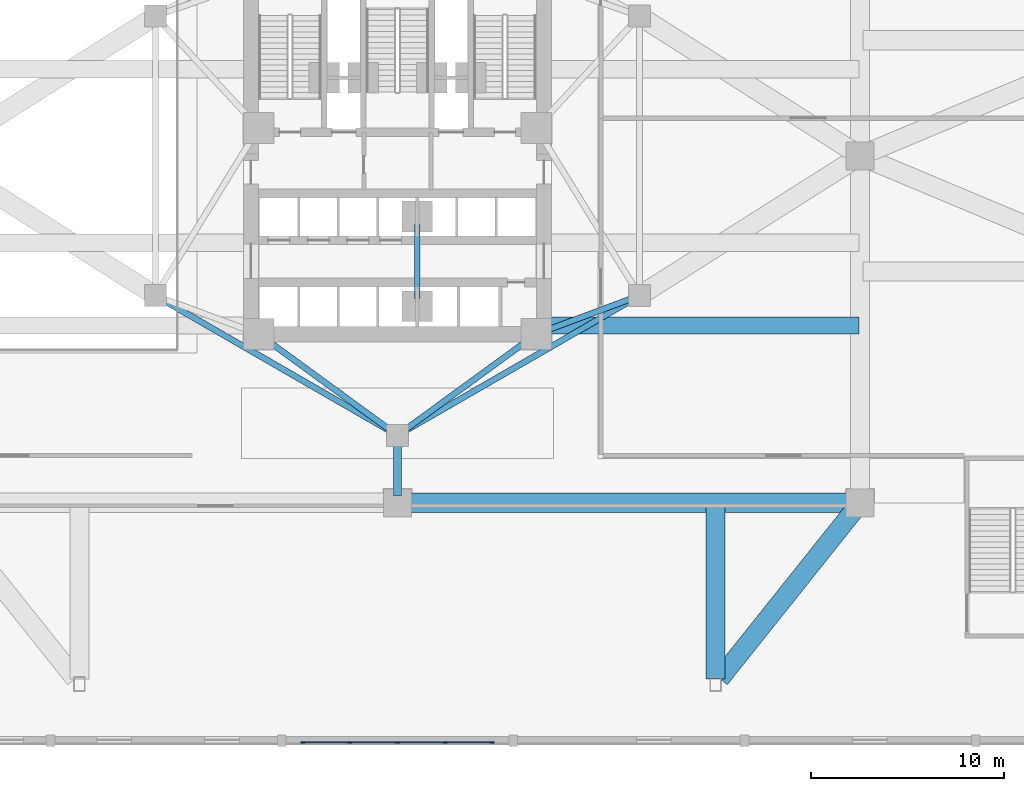
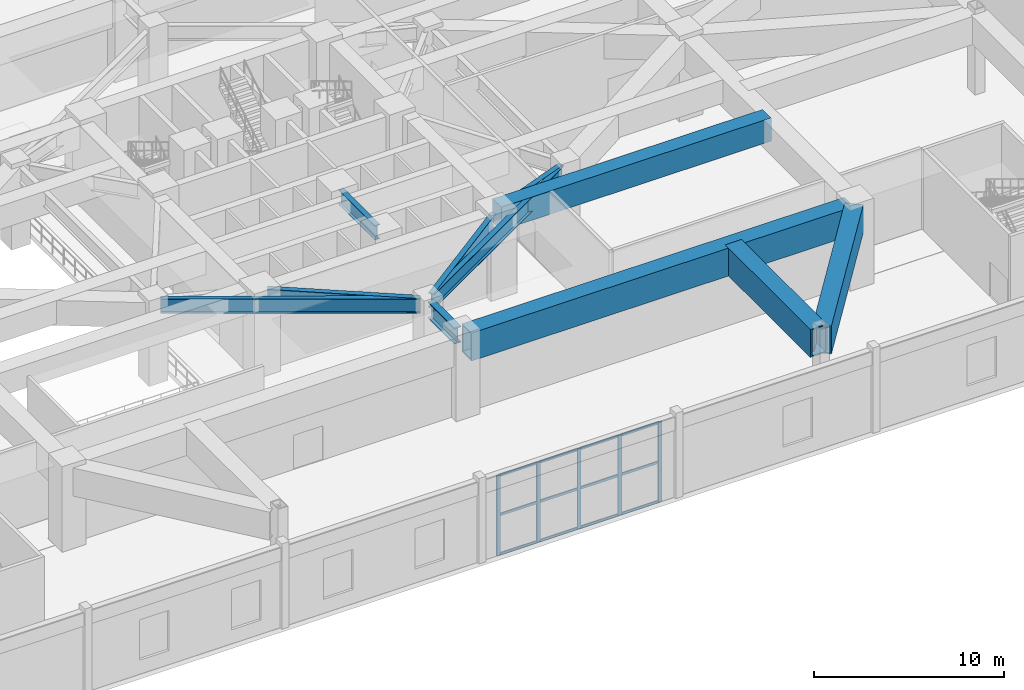
# One storey, part 3 of 23: 17 members, 11 beams, 1 element without a shape of its own.
"""IFC4 building model written with IfcOpenShell, lengths in metres."""

from ifc_helpers import new_model, si_unit, direction, frame, origin, origin_2d, place, context, subcontext, project, spatial, rectangle, hollow_rectangle, i_section, extrude, material, layer, layer_set, material_profile, profile_set, type_object, element, aggregate, save


model = new_model("IFC4")

# Units and contexts
model_context = context("Model", 3, precision=1e-05, world=origin(), true_north=direction((0.0, 1.0)))
body_context = subcontext(model_context, "Body", "Model", "MODEL_VIEW")
ifc_project = project(units=[si_unit("LENGTHUNIT", "METRE"), si_unit("AREAUNIT", "SQUARE_METRE"), si_unit("VOLUMEUNIT", "CUBIC_METRE"), si_unit("PLANEANGLEUNIT", "RADIAN"), si_unit("MASSUNIT", "GRAM", prefix="KILO")], contexts=[model_context])

# Site, building, storey
site_placement = place(None, origin())
site = spatial("IfcSite", under=ifc_project, at=site_placement, CompositionType="ELEMENT")
building_placement = place(site_placement, origin())
building = spatial("IfcBuilding", under=site, at=building_placement, Name="Apsidion Concourse Tower", CompositionType="ELEMENT")
storey_placement = place(building_placement, frame((0.0, 0.0, 6.0)))
storey = spatial("IfcBuildingStorey", under=building, at=storey_placement, Name="L01", CompositionType="ELEMENT", Elevation=6.0)

# Beams
ifc_material_1 = material(Name="Structural steel ASTM A992 Grade 50", Category="steel")
ifc_material_profile_1 = material_profile(ifc_material_1, i_section(OverallWidth=0.31005859375, OverallDepth=0.931884765625, WebThickness=0.02099609375, FlangeThickness=0.034423828125, at=origin_2d()), Name="W36X210")
ifc_profile_set_1 = profile_set([ifc_material_profile_1], Name="Structural steel ASTM A992 Grade 50")
beam_type_1 = type_object("IfcBeamType", Name="BM-G-W36", PredefinedType="USERDEFINED", material=ifc_profile_set_1)
beam_1_placement = place(storey_placement, frame((12.185302734375, -7.389892578125, 4.73388671875), z_axis=(-0.936913021145, -0.349562570664, 0.0), x_axis=(0.349562570664, -0.936913021145, 0.0)))
element("IfcBeam", 1, at=beam_1_placement, inside=storey, type_object=beam_type_1, Name="L01 Core Coupling Girder IC2-SC2", ObjectType="GIRDER", PredefinedType="USERDEFINED", context=body_context, shape_type="SweptSolid", body=[
    extrude(i_section(OverallWidth=0.31005859375, OverallDepth=0.931884765625, WebThickness=0.02099609375, FlangeThickness=0.034423828125, at=origin_2d()), origin(), (0.0, 0.0, 1.0), 4.921142578125),
])
for number, where, z_axis, x_axis, name in (
    (2, (-0.3232421875, -14.264404296875, 4.73388671875), (-0.807993498909, 0.589191399905, 0.0), (-0.589191399905, -0.807993498909, 0.0), "L01 Core Coupling Girder IC6-SC1"),
    (3, (0.3232421875, -14.264404296875, 4.73388671875), (0.807993498909, 0.589191399905, 0.0), (-0.589191399905, 0.807993498909, 0.0), "L01 Core Coupling Girder IC6-SC2"),
):
    element("IfcBeam", number, at=place(storey_placement, frame(where, z_axis=z_axis, x_axis=x_axis)), inside=storey, type_object=beam_type_1, Name=name, ObjectType="GIRDER", PredefinedType="USERDEFINED", context=body_context, shape_type="SweptSolid", body=[
        extrude(i_section(OverallWidth=0.31005859375, OverallDepth=0.931884765625, WebThickness=0.02099609375, FlangeThickness=0.034423828125, at=origin_2d()), origin(), (0.0, 0.0, 1.0), 8.11083984375),
    ])
for number, where, z_axis, x_axis, name in (
    (4, (12.213623046875, -7.449951171875, 4.73388671875), (-0.866070471464, -0.499921932364, 0.0), (0.499921932364, -0.866070471464, 0.0), "L01 Core Coupling Girder IC2-IC6"),
    (5, (-0.346435546875, -14.300048828125, 4.73388671875), (-0.866070471464, 0.499921932364, 0.0), (-0.499921932364, -0.866070471464, 0.0), "L01 Core Coupling Girder IC6-IC1"),
):
    element("IfcBeam", number, at=place(storey_placement, frame(where, z_axis=z_axis, x_axis=x_axis)), inside=storey, type_object=beam_type_1, Name=name, ObjectType="GIRDER", PredefinedType="USERDEFINED", context=body_context, shape_type="SweptSolid", body=[
        extrude(i_section(OverallWidth=0.31005859375, OverallDepth=0.931884765625, WebThickness=0.02099609375, FlangeThickness=0.034423828125, at=origin_2d()), origin(), (0.0, 0.0, 1.0), 13.702392578125),
    ])
beam_2_placement = place(storey_placement, frame((1.02490234375, -3.550048828125, 4.73388671875), z_axis=(0.0, -1.0, 0.0), x_axis=(1.0, 0.0, 0.0)))
element("IfcBeam", 6, at=beam_2_placement, inside=storey, type_object=beam_type_1, Name="L01 Core Coupling Girder CC5-CC6", ObjectType="GIRDER", PredefinedType="USERDEFINED", context=body_context, shape_type="SweptSolid", body=[
    extrude(i_section(OverallWidth=0.31005859375, OverallDepth=0.931884765625, WebThickness=0.02099609375, FlangeThickness=0.034423828125, at=origin_2d()), origin(), (0.0, 0.0, 1.0), 3.849853515625),
])
ifc_material_profile_2 = material_profile(ifc_material_1, i_section(OverallWidth=0.408935546875, OverallDepth=1.041015625, WebThickness=0.031005859375, FlangeThickness=0.055908203125, at=origin_2d()), Name="W40X397")
ifc_profile_set_2 = profile_set([ifc_material_profile_2], Name="Structural steel ASTM A992 Grade 50")
beam_type_2 = type_object("IfcBeamType", Name="BM-G-W40H", PredefinedType="USERDEFINED", material=ifc_profile_set_2)
beam_3_placement = place(storey_placement, frame((0.0, -17.64990234375, 4.679443359375), z_axis=(0.0, 1.0, 0.0), x_axis=(-1.0, 0.0, 0.0)))
element("IfcBeam", 7, at=beam_3_placement, inside=storey, type_object=beam_type_2, Name="L01 Podium Girder MC7-IC6", ObjectType="GIRDER", PredefinedType="USERDEFINED", context=body_context, shape_type="SweptSolid", body=[
    extrude(i_section(OverallWidth=0.408935546875, OverallDepth=1.041015625, WebThickness=0.031005859375, FlangeThickness=0.055908203125, at=origin_2d()), origin(), (0.0, 0.0, 1.0), 2.7998046875),
])
ifc_material_2 = material(Name="Concrete C50/60", Category="concrete")
ifc_material_profile_3 = material_profile(ifc_material_2, rectangle(XDim=0.89990234375, YDim=1.5, at=origin_2d()), Name="RC 900x1500")
ifc_profile_set_3 = profile_set([ifc_material_profile_3], Name="Concrete C50/60")
beam_type_3 = type_object("IfcBeamType", Name="BM-TB-RC15", PredefinedType="T_BEAM", material=ifc_profile_set_3)
beam_4_placement = place(storey_placement, frame((7.5, -8.800048828125, 4.449951171875), z_axis=(1.0, 0.0, 0.0), x_axis=(0.0, 1.0, 0.0)))
element("IfcBeam", 8, at=beam_4_placement, inside=storey, type_object=beam_type_3, Name="L01 Convention Long-Span Tee Beam E1", PredefinedType="T_BEAM", context=body_context, shape_type="SweptSolid", body=[
    extrude(rectangle(XDim=0.89990234375, YDim=1.5, at=origin_2d()), origin(), (0.0, 0.0, 1.0), 16.449951171875),
])
ifc_material_3 = material(Name="Structural steel ASTM A572 Grade 50", Category="steel")
ifc_material_profile_4 = material_profile(ifc_material_3, hollow_rectangle(XDim=1.0, YDim=1.800048828125, WallThickness=0.080078125, at=origin_2d()), Name="BOX1800X1000X80")
ifc_profile_set_4 = profile_set([ifc_material_profile_4], Name="Structural steel ASTM A572 Grade 50")
beam_type_4 = type_object("IfcBeamType", Name="BM-TR-1800", PredefinedType="USERDEFINED", material=ifc_profile_set_4)
beam_5_placement = place(storey_placement, frame((0.35009765625, -18.0, 4.300048828125), z_axis=(1.0, 0.0, 0.0), x_axis=(0.0, 1.0, 0.0)))
element("IfcBeam", 9, at=beam_5_placement, inside=storey, type_object=beam_type_4, Name="L01 Podium Transfer Collector Girder MC7-MC2", ObjectType="GIRDER", PredefinedType="USERDEFINED", context=body_context, shape_type="SweptSolid", body=[
    extrude(hollow_rectangle(XDim=1.0, YDim=1.800048828125, WallThickness=0.080078125, at=origin_2d()), origin(), (0.0, 0.0, 1.0), 23.2998046875),
])
beam_6_placement = place(storey_placement, frame((16.5, -27.14990234375, 4.300048828125), z_axis=(0.0, 1.0, 0.0), x_axis=(-1.0, 0.0, 0.0)))
element("IfcBeam", 10, at=beam_6_placement, inside=storey, type_object=beam_type_4, Name="L01 Podium Radial Frame Girder PC10", ObjectType="GIRDER", PredefinedType="USERDEFINED", context=body_context, shape_type="SweptSolid", body=[
    extrude(hollow_rectangle(XDim=1.0, YDim=1.800048828125, WallThickness=0.080078125, at=origin_2d()), origin(), (0.0, 0.0, 1.0), 9.0),
])
beam_7_placement = place(storey_placement, frame((16.71826171875, -27.12646484375, 4.300048828125), z_axis=(0.623685030382, 0.781675753031, 0.0), x_axis=(-0.781675753031, 0.623685030382, 0.0)))
element("IfcBeam", 11, at=beam_7_placement, inside=storey, type_object=beam_type_4, Name="L01 Podium Diagonal Frame Tie PC10", ObjectType="GIRDER", PredefinedType="USERDEFINED", context=body_context, shape_type="SweptSolid", body=[
    extrude(hollow_rectangle(XDim=1.0, YDim=1.800048828125, WallThickness=0.080078125, at=origin_2d()), origin(), (0.0, 0.0, 1.0), 11.325439453125),
])

# Curtain wall, members
ifc_material_4 = material(Name="Insulated laminated low-E glass", Category="glass")
ifc_layer = layer(ifc_material_4, 0.18994140625)
ifc_layer_set = layer_set([ifc_layer], Name="Insulated laminated low-E glass")
curtain_wall_type = type_object("IfcCurtainWallType", Name="CW-SYS-01", PredefinedType="NOTDEFINED", material=ifc_layer_set)
curtain_wall_placement = place(storey_placement, origin())
curtain_wall = element("IfcCurtainWall", 12, at=curtain_wall_placement, inside=storey, type_object=curtain_wall_type, Name="L01 Podium Glazed Curtain Wall S", PredefinedType="NOTDEFINED")
ifc_material_5 = material(Name="Anodised aluminium EN AW-6063 T6", Category="aluminium")
ifc_material_profile_5 = material_profile(ifc_material_5, rectangle(XDim=0.074951171875, YDim=0.219970703125, at=origin_2d()), Name="ALU MULLION 75x220")
ifc_profile_set_5 = profile_set([ifc_material_profile_5], Name="Anodised aluminium EN AW-6063 T6")
member_type_1 = type_object("IfcMemberType", Name="CWM-75X220", PredefinedType="MULLION", material=ifc_profile_set_5)
member_1_placement = place(storey_placement, frame((4.91845703125, -30.43994140625, 0.0), z_axis=(0.0, 0.0, 1.0), x_axis=(0.0, -1.0, 0.0)))
member_1 = element("IfcMember", 13, at=member_1_placement, type_object=member_type_1, Name="CW-01 mullion 1", PredefinedType="MULLION", context=body_context, shape_type="SweptSolid", body=[
    extrude(rectangle(XDim=0.074951171875, YDim=0.219970703125, at=origin_2d()), origin(), (0.0, 0.0, 1.0), 5.14990234375),
])
member_2_placement = place(storey_placement, frame((2.47802734375, -30.43994140625, 0.0), z_axis=(0.0, 0.0, 1.0), x_axis=(0.0, -1.0, 0.0)))
member_2 = element("IfcMember", 14, at=member_2_placement, type_object=member_type_1, Name="CW-01 mullion 2", PredefinedType="MULLION", context=body_context, shape_type="SweptSolid", body=[
    extrude(rectangle(XDim=0.074951171875, YDim=0.219970703125, at=origin_2d()), origin(), (0.0, 0.0, 1.0), 5.14990234375),
])
member_3_placement = place(storey_placement, frame((0.0, -30.43994140625, 0.0), z_axis=(0.0, 0.0, 1.0), x_axis=(0.0, -1.0, 0.0)))
member_3 = element("IfcMember", 15, at=member_3_placement, type_object=member_type_1, Name="CW-01 mullion 3", PredefinedType="MULLION", context=body_context, shape_type="SweptSolid", body=[
    extrude(rectangle(XDim=0.074951171875, YDim=0.219970703125, at=origin_2d()), origin(), (0.0, 0.0, 1.0), 5.14990234375),
])
member_4_placement = place(storey_placement, frame((-2.47802734375, -30.43994140625, 0.0), z_axis=(0.0, 0.0, 1.0), x_axis=(0.0, -1.0, 0.0)))
member_4 = element("IfcMember", 16, at=member_4_placement, type_object=member_type_1, Name="CW-01 mullion 4", PredefinedType="MULLION", context=body_context, shape_type="SweptSolid", body=[
    extrude(rectangle(XDim=0.074951171875, YDim=0.219970703125, at=origin_2d()), origin(), (0.0, 0.0, 1.0), 5.14990234375),
])
member_5_placement = place(storey_placement, frame((-4.91845703125, -30.43994140625, 0.0), z_axis=(0.0, 0.0, 1.0), x_axis=(0.0, -1.0, 0.0)))
member_5 = element("IfcMember", 17, at=member_5_placement, type_object=member_type_1, Name="CW-01 mullion 5", PredefinedType="MULLION", context=body_context, shape_type="SweptSolid", body=[
    extrude(rectangle(XDim=0.074951171875, YDim=0.219970703125, at=origin_2d()), origin(), (0.0, 0.0, 1.0), 5.14990234375),
])
ifc_material_profile_6 = material_profile(ifc_material_5, rectangle(XDim=0.074951171875, YDim=0.159912109375, at=origin_2d()), Name="ALU TRANSOM 75x160")
ifc_profile_set_6 = profile_set([ifc_material_profile_6], Name="Anodised aluminium EN AW-6063 T6")
member_type_2 = type_object("IfcMemberType", Name="CWT-75X160", PredefinedType="USERDEFINED", material=ifc_profile_set_6)
member_6_placement = place(storey_placement, frame((4.881103515625, -30.43994140625, 0.03759765625), z_axis=(-1.0, 0.0, 0.0), x_axis=(0.0, -1.0, 0.0)))
member_6 = element("IfcMember", 18, at=member_6_placement, type_object=member_type_2, Name="CW-01 transom 1.1", ObjectType="TRANSOM", PredefinedType="USERDEFINED", context=body_context, shape_type="SweptSolid", body=[
    extrude(rectangle(XDim=0.074951171875, YDim=0.159912109375, at=origin_2d()), origin(), (0.0, 0.0, 1.0), 2.36572265625),
])
member_7_placement = place(storey_placement, frame((4.881103515625, -30.43994140625, 2.574951171875), z_axis=(-1.0, 0.0, 0.0), x_axis=(0.0, -1.0, 0.0)))
member_7 = element("IfcMember", 19, at=member_7_placement, type_object=member_type_2, Name="CW-01 transom 1.2", ObjectType="TRANSOM", PredefinedType="USERDEFINED", context=body_context, shape_type="SweptSolid", body=[
    extrude(rectangle(XDim=0.074951171875, YDim=0.159912109375, at=origin_2d()), origin(), (0.0, 0.0, 1.0), 2.36572265625),
])
member_8_placement = place(storey_placement, frame((4.881103515625, -30.43994140625, 5.112548828125), z_axis=(-1.0, 0.0, 0.0), x_axis=(0.0, -1.0, 0.0)))
member_8 = element("IfcMember", 20, at=member_8_placement, type_object=member_type_2, Name="CW-01 transom 1.3", ObjectType="TRANSOM", PredefinedType="USERDEFINED", context=body_context, shape_type="SweptSolid", body=[
    extrude(rectangle(XDim=0.074951171875, YDim=0.159912109375, at=origin_2d()), origin(), (0.0, 0.0, 1.0), 2.36572265625),
])
member_9_placement = place(storey_placement, frame((2.4404296875, -30.43994140625, 0.03759765625), z_axis=(-1.0, 0.0, 0.0), x_axis=(0.0, -1.0, 0.0)))
member_9 = element("IfcMember", 21, at=member_9_placement, type_object=member_type_2, Name="CW-01 transom 2.1", ObjectType="TRANSOM", PredefinedType="USERDEFINED", context=body_context, shape_type="SweptSolid", body=[
    extrude(rectangle(XDim=0.074951171875, YDim=0.159912109375, at=origin_2d()), origin(), (0.0, 0.0, 1.0), 2.40283203125),
])
member_10_placement = place(storey_placement, frame((2.4404296875, -30.43994140625, 2.574951171875), z_axis=(-1.0, 0.0, 0.0), x_axis=(0.0, -1.0, 0.0)))
member_10 = element("IfcMember", 22, at=member_10_placement, type_object=member_type_2, Name="CW-01 transom 2.2", ObjectType="TRANSOM", PredefinedType="USERDEFINED", context=body_context, shape_type="SweptSolid", body=[
    extrude(rectangle(XDim=0.074951171875, YDim=0.159912109375, at=origin_2d()), origin(), (0.0, 0.0, 1.0), 2.40283203125),
])
member_11_placement = place(storey_placement, frame((2.4404296875, -30.43994140625, 5.112548828125), z_axis=(-1.0, 0.0, 0.0), x_axis=(0.0, -1.0, 0.0)))
member_11 = element("IfcMember", 23, at=member_11_placement, type_object=member_type_2, Name="CW-01 transom 2.3", ObjectType="TRANSOM", PredefinedType="USERDEFINED", context=body_context, shape_type="SweptSolid", body=[
    extrude(rectangle(XDim=0.074951171875, YDim=0.159912109375, at=origin_2d()), origin(), (0.0, 0.0, 1.0), 2.40283203125),
])
member_12_placement = place(storey_placement, frame((-0.03759765625, -30.43994140625, 0.03759765625), z_axis=(-1.0, 0.0, 0.0), x_axis=(0.0, -1.0, 0.0)))
member_12 = element("IfcMember", 24, at=member_12_placement, type_object=member_type_2, Name="CW-01 transom 3.1", ObjectType="TRANSOM", PredefinedType="USERDEFINED", context=body_context, shape_type="SweptSolid", body=[
    extrude(rectangle(XDim=0.074951171875, YDim=0.159912109375, at=origin_2d()), origin(), (0.0, 0.0, 1.0), 2.40283203125),
])
member_13_placement = place(storey_placement, frame((-0.03759765625, -30.43994140625, 2.574951171875), z_axis=(-1.0, 0.0, 0.0), x_axis=(0.0, -1.0, 0.0)))
member_13 = element("IfcMember", 25, at=member_13_placement, type_object=member_type_2, Name="CW-01 transom 3.2", ObjectType="TRANSOM", PredefinedType="USERDEFINED", context=body_context, shape_type="SweptSolid", body=[
    extrude(rectangle(XDim=0.074951171875, YDim=0.159912109375, at=origin_2d()), origin(), (0.0, 0.0, 1.0), 2.40283203125),
])
member_14_placement = place(storey_placement, frame((-0.03759765625, -30.43994140625, 5.112548828125), z_axis=(-1.0, 0.0, 0.0), x_axis=(0.0, -1.0, 0.0)))
member_14 = element("IfcMember", 26, at=member_14_placement, type_object=member_type_2, Name="CW-01 transom 3.3", ObjectType="TRANSOM", PredefinedType="USERDEFINED", context=body_context, shape_type="SweptSolid", body=[
    extrude(rectangle(XDim=0.074951171875, YDim=0.159912109375, at=origin_2d()), origin(), (0.0, 0.0, 1.0), 2.40283203125),
])
member_15_placement = place(storey_placement, frame((-2.515380859375, -30.43994140625, 0.03759765625), z_axis=(-1.0, 0.0, 0.0), x_axis=(0.0, -1.0, 0.0)))
member_15 = element("IfcMember", 27, at=member_15_placement, type_object=member_type_2, Name="CW-01 transom 4.1", ObjectType="TRANSOM", PredefinedType="USERDEFINED", context=body_context, shape_type="SweptSolid", body=[
    extrude(rectangle(XDim=0.074951171875, YDim=0.159912109375, at=origin_2d()), origin(), (0.0, 0.0, 1.0), 2.36572265625),
])
member_16_placement = place(storey_placement, frame((-2.515380859375, -30.43994140625, 2.574951171875), z_axis=(-1.0, 0.0, 0.0), x_axis=(0.0, -1.0, 0.0)))
member_16 = element("IfcMember", 28, at=member_16_placement, type_object=member_type_2, Name="CW-01 transom 4.2", ObjectType="TRANSOM", PredefinedType="USERDEFINED", context=body_context, shape_type="SweptSolid", body=[
    extrude(rectangle(XDim=0.074951171875, YDim=0.159912109375, at=origin_2d()), origin(), (0.0, 0.0, 1.0), 2.36572265625),
])
member_17_placement = place(storey_placement, frame((-2.515380859375, -30.43994140625, 5.112548828125), z_axis=(-1.0, 0.0, 0.0), x_axis=(0.0, -1.0, 0.0)))
member_17 = element("IfcMember", 29, at=member_17_placement, type_object=member_type_2, Name="CW-01 transom 4.3", ObjectType="TRANSOM", PredefinedType="USERDEFINED", context=body_context, shape_type="SweptSolid", body=[
    extrude(rectangle(XDim=0.074951171875, YDim=0.159912109375, at=origin_2d()), origin(), (0.0, 0.0, 1.0), 2.36572265625),
])
aggregate(curtain_wall, [member_1, member_2, member_3, member_4, member_5, member_6, member_7, member_8, member_9, member_10, member_11, member_12, member_13, member_14, member_15, member_16, member_17])

save(model, "model.ifc")
